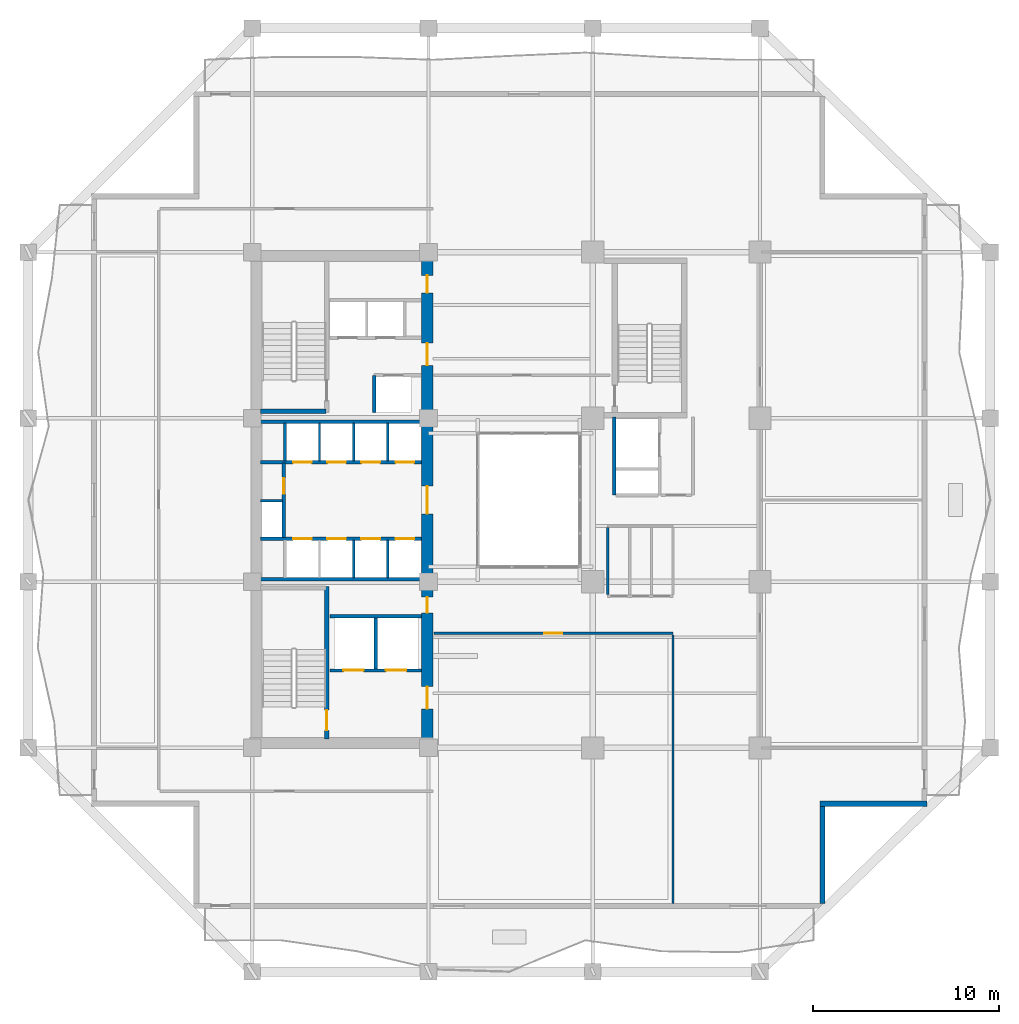
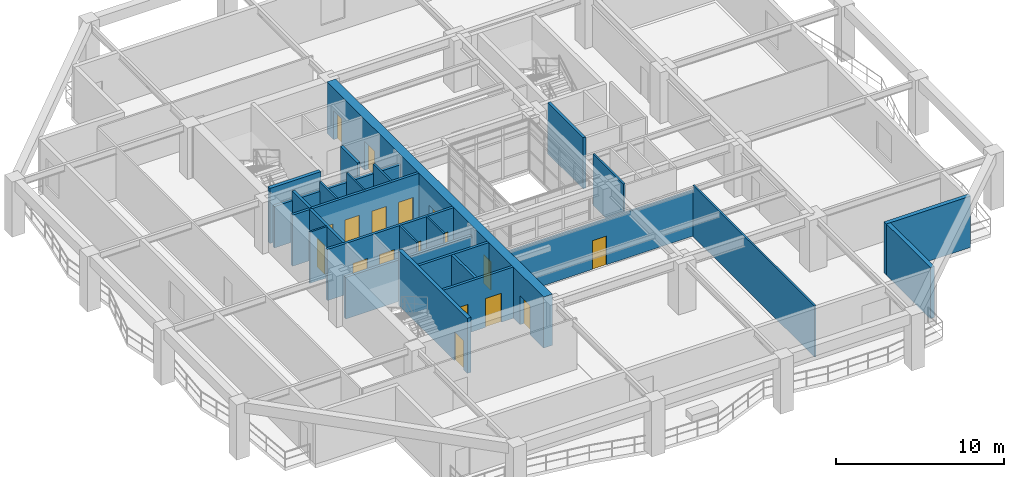
# One storey, part 7 of 17: 25 walls, 18 doors, 18 openings.
"""IFC4 building model written with IfcOpenShell, lengths in metres."""

import ifcopenshell
import ifcopenshell.guid

model = None  # the IFC model being written
_history = None  # IfcOwnerHistory: only IFC2X3 demands one
_inside = {}  # id of a spatial element -> (the spatial element, [elements in it])
_under = {}  # id of a project, library or spatial element -> (it, [spatial elements below it])
_declared = {}  # id of a project -> (the project, [libraries it declares])
_typed = {}  # id of a type object -> (the type object, [elements of that type])
_made_of = {}  # id of a material, layer set ... -> (it, [elements and type objects made of it])


def new_model(schema):
    """Start an empty IFC model of exactly this schema.

    Asked for "IFC4X3", IfcOpenShell would pick the latest addendum, in which some entities
    have other attributes; the version numbers below select the first issue.
    IFC2X3 requires an IfcOwnerHistory on every rooted entity: one is made here for all.
    """
    global model, _history
    if schema == "IFC4X3":
        model = ifcopenshell.file(schema_version=(4, 3, 0, 0))
    else:
        model = ifcopenshell.file(schema=schema)
    _inside.clear()
    _under.clear()
    _declared.clear()
    _typed.clear()
    _made_of.clear()
    _history = None
    if model.schema == "IFC2X3":
        org = make("IfcOrganization", Name="unknown")
        user = make(
            "IfcPersonAndOrganization",
            ThePerson=make("IfcPerson", FamilyName="unknown"),
            TheOrganization=org,
        )
        app = make(
            "IfcApplication",
            ApplicationDeveloper=org,
            Version="unknown",
            ApplicationFullName="unknown",
            ApplicationIdentifier="unknown",
        )
        _history = make(
            "IfcOwnerHistory",
            OwningUser=user,
            OwningApplication=app,
            ChangeAction="ADDED",
            CreationDate=0,
        )
    return model


def make(cls, **values):
    """One entity of the class cls with the attributes given. An attribute that is None is left unset."""
    return model.create_entity(
        cls, **{name: value for name, value in values.items() if value is not None}
    )


def rooted(cls, **values):
    """An entity with a GlobalId (a new one), such as an element, a storey or a relation."""
    return make(cls, GlobalId=ifcopenshell.guid.new(), OwnerHistory=_history, **values)


def si_unit(unit_type, name, prefix=None):
    """IfcSIUnit, for example si_unit("LENGTHUNIT", "METRE", prefix="MILLI")."""
    return make("IfcSIUnit", UnitType=unit_type, Prefix=prefix, Name=name)


def assignment(units):
    """IfcUnitAssignment: the units of a project."""
    return None if units is None else make("IfcUnitAssignment", Units=units)


def point(xyz):
    """IfcCartesianPoint."""
    return None if xyz is None else make("IfcCartesianPoint", Coordinates=xyz)


def direction(xyz):
    """IfcDirection."""
    return None if xyz is None else make("IfcDirection", DirectionRatios=xyz)


def frame(location, z_axis=None, x_axis=None):
    """IfcAxis2Placement3D, a coordinate frame: its origin and axes. An axis left out is left unset."""
    return make(
        "IfcAxis2Placement3D",
        Location=point(location),
        Axis=direction(z_axis),
        RefDirection=direction(x_axis),
    )


def frame_2d(location, x_axis=None):
    """IfcAxis2Placement2D, a coordinate frame in the plane: its origin and x axis."""
    return make(
        "IfcAxis2Placement2D", Location=point(location), RefDirection=direction(x_axis)
    )


def origin():
    """The frame at (0, 0, 0) with its axes left unset."""
    return frame((0.0, 0.0, 0.0))


def place(relative_to, where):
    """IfcLocalPlacement: puts the frame where relative to a parent placement (None: the world)."""
    return make(
        "IfcLocalPlacement", PlacementRelTo=relative_to, RelativePlacement=where
    )


def context(
    kind, dimensions, precision=None, world=None, true_north=None, identifier=None
):
    """IfcGeometricRepresentationContext, for example the 3D "Model" context."""
    return make(
        "IfcGeometricRepresentationContext",
        ContextIdentifier=identifier,
        ContextType=kind,
        CoordinateSpaceDimension=dimensions,
        Precision=precision,
        WorldCoordinateSystem=world,
        TrueNorth=true_north,
    )


def subcontext(parent, identifier, kind, view, scale=None):
    """IfcGeometricRepresentationSubContext, for example "Body" below "Model"."""
    return make(
        "IfcGeometricRepresentationSubContext",
        ContextIdentifier=identifier,
        ContextType=kind,
        ParentContext=parent,
        TargetScale=scale,
        TargetView=view,
    )


def project(units=None, contexts=None):
    """IfcProject with its units and contexts."""
    return rooted(
        "IfcProject",
        Name="project",
        RepresentationContexts=contexts,
        UnitsInContext=assignment(units),
    )


def spatial(cls, under=None, at=None, **own):
    """A site, building, storey or space (cls), placed at a placement, below another one or the project."""
    s = rooted(cls, ObjectPlacement=at, **own)
    if under is not None:
        _under.setdefault(under.id(), (under, []))[1].append(s)
    return s


def profile(cls, at=None, kind="AREA", **sizes):
    """A parametric profile (cls). Its sizes go by their IFC names, for example OverallWidth=200.0."""
    return make(cls, ProfileType=kind, Position=at, **sizes)


def rectangle(**sizes):
    """IfcRectangleProfileDef."""
    return profile("IfcRectangleProfileDef", **sizes)


def extrude(swept, where, along, depth):
    """IfcExtrudedAreaSolid: the profile swept, set in the frame where, extruded along a direction by depth."""
    return make(
        "IfcExtrudedAreaSolid",
        SweptArea=swept,
        Position=where,
        ExtrudedDirection=direction(along),
        Depth=depth,
    )


def shape(context_of_items, identifier, shape_type, items):
    """IfcShapeRepresentation: the items that make up one representation, for example the "Body"."""
    return make(
        "IfcShapeRepresentation",
        ContextOfItems=context_of_items,
        RepresentationIdentifier=identifier,
        RepresentationType=shape_type,
        Items=items,
    )


def material(Name=None, Category=None):
    """IfcMaterial."""
    return make("IfcMaterial", Name=Name, Category=Category)


def layer(
    of_material, thickness, ventilated=None, Name=None, Category=None, Priority=None
):
    """IfcMaterialLayer: one layer of a wall or slab, of a material (None: an air gap)."""
    return make(
        "IfcMaterialLayer",
        Material=of_material,
        LayerThickness=thickness,
        IsVentilated=ventilated,
        Name=Name,
        Category=Category,
        Priority=Priority,
    )


def layer_set(layers, Name=None):
    """IfcMaterialLayerSet."""
    return make("IfcMaterialLayerSet", MaterialLayers=layers, LayerSetName=Name)


def made_of(thing, what):
    """Note that an element or type object is made of a material, layer set ...; save() writes the relation."""
    if what is not None:
        _made_of.setdefault(what.id(), (what, []))[1].append(thing)
    return thing


def type_object(cls, material=None, **own):
    """A type object (cls), such as IfcWallType, which elements share."""
    return made_of(rooted(cls, **own), material)


def element(
    cls,
    number,
    at=None,
    inside=None,
    cuts=None,
    type_object=None,
    material=None,
    context=None,
    identifier="Body",
    shape_type=None,
    held_by="IfcProductDefinitionShape",
    body=None,
    shapes=None,
    **own,
):
    """One element of the class cls, such as IfcWall. Its Tag is "e" and its number.

    at: its placement. inside: the storey or other place that contains it. cuts: it is an
    opening in that element (IfcRelVoidsElement). A single representation is given by context,
    identifier, shape_type and body (its items); several are given by shapes. held_by: the class
    of the entity that holds the representations. save() writes the other relations.
    """
    e = rooted(cls, Tag="e%d" % number, ObjectPlacement=at, **own)
    if body is not None:
        shapes = [shape(context, identifier, shape_type, body)]
    if shapes is not None:
        e.Representation = make(held_by, Representations=shapes)
    if inside is not None:
        _inside.setdefault(inside.id(), (inside, []))[1].append(e)
    if cuts is not None:
        rooted(
            "IfcRelVoidsElement", RelatingBuildingElement=cuts, RelatedOpeningElement=e
        )
    if type_object is not None:
        _typed.setdefault(type_object.id(), (type_object, []))[1].append(e)
    return made_of(e, material)


def fill(opening, filler):
    """IfcRelFillsElement: the door or window that sits in an opening."""
    return rooted(
        "IfcRelFillsElement",
        RelatingOpeningElement=opening,
        RelatedBuildingElement=filler,
    )


def aggregate(whole, parts):
    """IfcRelAggregates: a whole, such as a stair, and the parts it consists of."""
    return rooted("IfcRelAggregates", RelatingObject=whole, RelatedObjects=parts)


def save(model, path):
    """Write the relations noted so far, then the file.

    IfcRelAggregates (storeys below a building ...), IfcRelContainedInSpatialStructure (elements
    in a storey), IfcRelDefinesByType, IfcRelAssociatesMaterial and IfcRelDeclares: one each for
    every whole, place, type object, material and project.
    """
    for whole, parts in _under.values():
        aggregate(whole, parts)
    for where, things in _inside.values():
        rooted(
            "IfcRelContainedInSpatialStructure",
            RelatedElements=things,
            RelatingStructure=where,
        )
    for kind, things in _typed.values():
        rooted("IfcRelDefinesByType", RelatedObjects=things, RelatingType=kind)
    for what, things in _made_of.values():
        rooted("IfcRelAssociatesMaterial", RelatedObjects=things, RelatingMaterial=what)
    for by, libraries in _declared.values():
        rooted("IfcRelDeclares", RelatingContext=by, RelatedDefinitions=libraries)
    model.write(path)


model = new_model("IFC4")

# Units and contexts
model_context = context("Model", 3, precision=1e-05, world=origin(), true_north=direction((0.0, 1.0)))
body_context = subcontext(model_context, "Body", "Model", "MODEL_VIEW")
ifc_project = project(units=[si_unit("LENGTHUNIT", "METRE"), si_unit("AREAUNIT", "SQUARE_METRE"), si_unit("VOLUMEUNIT", "CUBIC_METRE"), si_unit("PLANEANGLEUNIT", "RADIAN"), si_unit("MASSUNIT", "GRAM", prefix="KILO")], contexts=[model_context])

# Site, building, storey
site_placement = place(None, origin())
site = spatial("IfcSite", under=ifc_project, at=site_placement, CompositionType="ELEMENT")
building_placement = place(site_placement, origin())
building = spatial("IfcBuilding", under=site, at=building_placement, Name="Kundavana Baori Tower", CompositionType="ELEMENT")
storey_placement = place(building_placement, frame((0.0, 0.0, 30.0)))
storey = spatial("IfcBuildingStorey", under=building, at=storey_placement, Name="L06", CompositionType="ELEMENT", Elevation=30.0)

# Wall, opening, door
ifc_material_1 = material(Name="Concrete C50/60", Category="concrete")
ifc_layer_1 = layer(ifc_material_1, 0.39990234375, Name="WL-CORE-400")
ifc_layer_set_1 = layer_set([ifc_layer_1], Name="Concrete C50/60")
wall_type_1 = type_object("IfcWallType", Name="WL-CORE-400", PredefinedType="SHEAR", material=ifc_layer_set_1)
wall_1_placement = place(storey_placement, frame((19.4599609375, 15.739990234375, 0.0), z_axis=(0.0, 0.0, 1.0), x_axis=(0.0, 1.0, 0.0)))
wall_1 = element("IfcWall", 1, at=wall_1_placement, inside=storey, type_object=wall_type_1, Name="WL-L06-ST1-E", PredefinedType="SHEAR", context=body_context, shape_type="SweptSolid", body=[
    extrude(rectangle(XDim=8.199951171875, YDim=0.239990234375, at=frame_2d((4.10009765625, 0.0))), origin(), (0.0, 0.0, 1.0), 4.0),
])
opening_1_placement = place(wall_1_placement, frame((0.449951171875, 0.0, 0.0)))
opening_1 = element("IfcOpeningElement", 2, at=opening_1_placement, cuts=wall_1, Name="Opening FD-110", PredefinedType="OPENING", context=body_context, shape_type="SweptSolid", body=[
    extrude(rectangle(XDim=1.10009765625, YDim=2.10009765625, at=frame_2d((0.550048828125, 1.050048828125))), frame((0.0, 0.1298828125, 0.0), z_axis=(0.0, -1.0, 0.0), x_axis=(1.0, 0.0, 0.0)), (0.0, 0.0, 1.0), 0.260009765625),
])
ifc_material_2 = material(Name="Galvanised Steel Fire-Rated Door Leaf", Category="steel")
door_type_1 = type_object("IfcDoorType", Name="DR-FD120-1100", OperationType="NOTDEFINED", PredefinedType="DOOR", material=ifc_material_2)
door_1_placement = place(opening_1_placement, origin())
door_1 = element("IfcDoor", 3, at=door_1_placement, inside=storey, type_object=door_type_1, Name="DR-L06-ST1", OperationType="SINGLE_SWING_LEFT", OverallHeight=2.10009765625, OverallWidth=1.10009765625, PredefinedType="DOOR", context=body_context, shape_type="SweptSolid", body=[
    extrude(rectangle(XDim=1.10009765625, YDim=2.10009765625, at=frame_2d((0.550048828125, 1.050048828125))), frame((0.0, 0.02490234375, 0.0), z_axis=(0.0, -1.0, 0.0), x_axis=(1.0, 0.0, 0.0)), (0.0, 0.0, 1.0), 0.050048828125),
])
fill(opening_1, door_1)

# Wall
wall_2_placement = place(storey_placement, frame((15.89990234375, 33.389892578125, 0.0), z_axis=(0.0, 0.0, 1.0), x_axis=(1.0, 0.0, 0.0)))
element("IfcWall", 4, at=wall_2_placement, inside=storey, type_object=wall_type_1, Name="WL-L06-ST2-S", PredefinedType="SHEAR", context=body_context, shape_type="SweptSolid", body=[
    extrude(rectangle(XDim=3.52001953125, YDim=0.239990234375, at=frame_2d((1.760009765625, 0.0))), origin(), (0.0, 0.0, 1.0), 4.0),
])

# Wall, openings, doors
ifc_material_3 = material(Name="Concrete C60/75", Category="concrete")
ifc_layer_2 = layer(ifc_material_3, 0.60009765625, Name="WL-CORE-600")
ifc_layer_set_2 = layer_set([ifc_layer_2], Name="Concrete C60/75")
wall_type_2 = type_object("IfcWallType", Name="WL-CORE-600", PredefinedType="SHEAR", material=ifc_layer_set_2)
wall_3_placement = place(storey_placement, frame((24.8798828125, 15.739990234375, 0.0), z_axis=(0.0, 0.0, 1.0), x_axis=(0.0, 1.0, 0.0)))
wall_3 = element("IfcWall", 5, at=wall_3_placement, inside=storey, type_object=wall_type_2, Name="L06 Offset Core East Shear Wall", PredefinedType="SHEAR", context=body_context, shape_type="SweptSolid", body=[
    extrude(rectangle(XDim=25.760009765625, YDim=0.60009765625, at=frame_2d((12.8798828125, 0.0))), origin(), (0.0, 0.0, 1.0), 3.719970703125),
])
opening_2_placement = place(wall_3_placement, frame((1.610107421875, 0.0, 0.0)))
opening_2 = element("IfcOpeningElement", 6, at=opening_2_placement, cuts=wall_3, Name="Opening FD-120", PredefinedType="OPENING", context=body_context, shape_type="SweptSolid", body=[
    extrude(rectangle(XDim=1.199951171875, YDim=2.10009765625, at=frame_2d((0.60009765625, 1.050048828125))), frame((0.0, 0.31005859375, 0.0), z_axis=(0.0, -1.0, 0.0), x_axis=(1.0, 0.0, 0.0)), (0.0, 0.0, 1.0), 0.6201171875),
])
opening_3_placement = place(wall_3_placement, frame((6.780029296875, 0.0, 0.0)))
opening_3 = element("IfcOpeningElement", 7, at=opening_3_placement, cuts=wall_3, Name="Opening FD-085", PredefinedType="OPENING", context=body_context, shape_type="SweptSolid", body=[
    extrude(rectangle(XDim=0.85009765625, YDim=2.06005859375, at=frame_2d((0.425048828125, 1.030029296875))), frame((0.0, 0.31005859375, 0.0), z_axis=(0.0, -1.0, 0.0), x_axis=(1.0, 0.0, 0.0)), (0.0, 0.0, 1.0), 0.6201171875),
])
opening_4_placement = place(wall_3_placement, frame((12.110107421875, 0.0, 0.0)))
opening_4 = element("IfcOpeningElement", 8, at=opening_4_placement, cuts=wall_3, Name="Opening FD-150", PredefinedType="OPENING", context=body_context, shape_type="SweptSolid", body=[
    extrude(rectangle(XDim=1.5, YDim=2.1201171875, at=frame_2d((0.75, 1.06005859375))), frame((0.0, 0.31005859375, 0.0), z_axis=(0.0, -1.0, 0.0), x_axis=(1.0, 0.0, 0.0)), (0.0, 0.0, 1.0), 0.6201171875),
])
opening_5_placement = place(wall_3_placement, frame((20.110107421875, 0.0, 0.0)))
opening_5 = element("IfcOpeningElement", 9, at=opening_5_placement, cuts=wall_3, Name="Opening FD-122", PredefinedType="OPENING", context=body_context, shape_type="SweptSolid", body=[
    extrude(rectangle(XDim=1.199951171875, YDim=2.1201171875, at=frame_2d((0.60009765625, 1.06005859375))), frame((0.0, 0.31005859375, 0.0), z_axis=(0.0, -1.0, 0.0), x_axis=(1.0, 0.0, 0.0)), (0.0, 0.0, 1.0), 0.6201171875),
])
opening_6_placement = place(wall_3_placement, frame((24.010009765625, 0.0, 0.0)))
opening_6 = element("IfcOpeningElement", 10, at=opening_6_placement, cuts=wall_3, Name="Opening FD-095", PredefinedType="OPENING", context=body_context, shape_type="SweptSolid", body=[
    extrude(rectangle(XDim=0.949951171875, YDim=2.10009765625, at=frame_2d((0.47509765625, 1.050048828125))), frame((0.0, 0.31005859375, 0.0), z_axis=(0.0, -1.0, 0.0), x_axis=(1.0, 0.0, 0.0)), (0.0, 0.0, 1.0), 0.6201171875),
])
ifc_material_4 = material(Name="Galvanised Steel Fire-Rated Door Leaf", Category="steel")
door_type_2 = type_object("IfcDoorType", Name="DR-FD120-1200", OperationType="NOTDEFINED", PredefinedType="DOOR", material=ifc_material_4)
door_2_placement = place(opening_2_placement, frame((1.199951171875, 0.0, 0.0), z_axis=(0.0, 0.0, 1.0), x_axis=(-1.0, 0.0, 0.0)))
door_2 = element("IfcDoor", 11, at=door_2_placement, inside=storey, type_object=door_type_2, Name="DR-L06-FFLOB-E", OperationType="SINGLE_SWING_RIGHT", OverallHeight=2.10009765625, OverallWidth=1.199951171875, PredefinedType="DOOR", context=body_context, shape_type="SweptSolid", body=[
    extrude(rectangle(XDim=1.199951171875, YDim=2.10009765625, at=frame_2d((0.60009765625, 1.050048828125))), frame((0.0, 0.02490234375, 0.0), z_axis=(0.0, -1.0, 0.0), x_axis=(1.0, 0.0, 0.0)), (0.0, 0.0, 1.0), 0.050048828125),
])
fill(opening_2, door_2)
ifc_material_5 = material(Name="Galvanised Steel Fire-Rated Door Leaf", Category="steel")
door_type_3 = type_object("IfcDoorType", Name="DR-FD60-1200", OperationType="NOTDEFINED", PredefinedType="DOOR", material=ifc_material_5)
door_3_placement = place(opening_5_placement, frame((1.199951171875, 0.0, 0.0), z_axis=(0.0, 0.0, 1.0), x_axis=(-1.0, 0.0, 0.0)))
door_3 = element("IfcDoor", 12, at=door_3_placement, inside=storey, type_object=door_type_3, Name="DR-L06-HRLOB-E", OperationType="SINGLE_SWING_RIGHT", OverallHeight=2.1201171875, OverallWidth=1.199951171875, PredefinedType="DOOR", context=body_context, shape_type="SweptSolid", body=[
    extrude(rectangle(XDim=1.199951171875, YDim=2.1201171875, at=frame_2d((0.60009765625, 1.06005859375))), frame((0.0, 0.02490234375, 0.0), z_axis=(0.0, -1.0, 0.0), x_axis=(1.0, 0.0, 0.0)), (0.0, 0.0, 1.0), 0.050048828125),
])
fill(opening_5, door_3)
ifc_material_6 = material(Name="Galvanised Steel Fire-Rated Door Leaf", Category="steel")
door_type_4 = type_object("IfcDoorType", Name="DR-FD60-1500", OperationType="NOTDEFINED", PredefinedType="DOOR", material=ifc_material_6)
door_4_placement = place(opening_4_placement, frame((1.5, 0.0, 0.0), z_axis=(0.0, 0.0, 1.0), x_axis=(-1.0, 0.0, 0.0)))
door_4 = element("IfcDoor", 13, at=door_4_placement, inside=storey, type_object=door_type_4, Name="DR-L06-LIFTHALL-E", OperationType="SINGLE_SWING_LEFT", OverallHeight=2.1201171875, OverallWidth=1.5, PredefinedType="DOOR", context=body_context, shape_type="SweptSolid", body=[
    extrude(rectangle(XDim=1.5, YDim=2.1201171875, at=frame_2d((0.75, 1.06005859375))), frame((0.0, 0.02490234375, 0.0), z_axis=(0.0, -1.0, 0.0), x_axis=(1.0, 0.0, 0.0)), (0.0, 0.0, 1.0), 0.050048828125),
])
fill(opening_4, door_4)
ifc_material_7 = material(Name="Galvanised Steel Fire-Rated Door Leaf", Category="steel")
door_type_5 = type_object("IfcDoorType", Name="DR-FD60-850", OperationType="NOTDEFINED", PredefinedType="DOOR", material=ifc_material_7)
door_5_placement = place(opening_3_placement, frame((0.85009765625, 0.0, 0.0), z_axis=(0.0, 0.0, 1.0), x_axis=(-1.0, 0.0, 0.0)))
door_5 = element("IfcDoor", 14, at=door_5_placement, inside=storey, type_object=door_type_5, Name="DR-L06-CSMK1", OperationType="SINGLE_SWING_LEFT", OverallHeight=2.06005859375, OverallWidth=0.85009765625, PredefinedType="DOOR", context=body_context, shape_type="SweptSolid", body=[
    extrude(rectangle(XDim=0.85009765625, YDim=2.06005859375, at=frame_2d((0.425048828125, 1.030029296875))), frame((0.0, 0.02490234375, 0.0), z_axis=(0.0, -1.0, 0.0), x_axis=(1.0, 0.0, 0.0)), (0.0, 0.0, 1.0), 0.050048828125),
])
fill(opening_3, door_5)
ifc_material_8 = material(Name="Engineered Teak Fire-Rated Timber Door Leaf", Category="wood")
door_type_6 = type_object("IfcDoorType", Name="DR-FD60-950", OperationType="NOTDEFINED", PredefinedType="DOOR", material=ifc_material_8)
door_6_placement = place(opening_6_placement, frame((0.949951171875, 0.0, 0.0), z_axis=(0.0, 0.0, 1.0), x_axis=(-1.0, 0.0, 0.0)))
door_6 = element("IfcDoor", 15, at=door_6_placement, inside=storey, type_object=door_type_6, Name="DR-L06-CSRV1", OperationType="SINGLE_SWING_LEFT", OverallHeight=2.10009765625, OverallWidth=0.949951171875, PredefinedType="DOOR", context=body_context, shape_type="SweptSolid", body=[
    extrude(rectangle(XDim=0.949951171875, YDim=2.10009765625, at=frame_2d((0.47509765625, 1.050048828125))), frame((0.0, 0.02490234375, 0.0), z_axis=(0.0, -1.0, 0.0), x_axis=(1.0, 0.0, 0.0)), (0.0, 0.0, 1.0), 0.050048828125),
])
fill(opening_6, door_6)

# Walls
ifc_material_9 = material(Name="Red-Buff Dholpur Sandstone Cladding on Concrete C40/50", Category="masonry")
ifc_layer_3 = layer(ifc_material_9, 0.280029296875, Name="WL-EXT-SAND-280")
ifc_layer_set_3 = layer_set([ifc_layer_3], Name="Red-Buff Dholpur Sandstone Cladding on Concrete C40/50")
wall_type_3 = type_object("IfcWallType", Name="WL-EXT-SAND-280", PredefinedType="STANDARD", material=ifc_layer_set_3)
wall_4_placement = place(storey_placement, frame((46.159912109375, 6.8798828125, 0.0), z_axis=(0.0, 0.0, 1.0), x_axis=(0.0, 1.0, 0.0)))
element("IfcWall", 16, at=wall_4_placement, inside=storey, type_object=wall_type_3, Name="L06 Exterior Insulated Facade Wall 02", PredefinedType="STANDARD", context=body_context, shape_type="SweptSolid", body=[
    extrude(rectangle(XDim=5.22021484375, YDim=0.280029296875, at=frame_2d((2.610107421875, 0.0))), origin(), (0.0, 0.0, 1.0), 3.719970703125),
])
wall_5_placement = place(storey_placement, frame((46.02001953125, 12.239990234375, 0.0), z_axis=(0.0, 0.0, 1.0), x_axis=(1.0, 0.0, 0.0)))
element("IfcWall", 17, at=wall_5_placement, inside=storey, type_object=wall_type_3, Name="L06 Exterior Insulated Facade Wall 03", PredefinedType="STANDARD", context=body_context, shape_type="SweptSolid", body=[
    extrude(rectangle(XDim=5.780029296875, YDim=0.280029296875, at=frame_2d((2.89013671875, 0.0))), origin(), (0.0, 0.0, 1.0), 3.719970703125),
])
ifc_material_10 = material(Name="Acoustic Gypsum Plasterboard on Galvanised Steel Studs", Category="steel")
ifc_layer_4 = layer(ifc_material_10, 0.1201171875, Name="WL-PART-120")
ifc_layer_set_4 = layer_set([ifc_layer_4], Name="Acoustic Gypsum Plasterboard on Galvanised Steel Studs")
wall_type_4 = type_object("IfcWallType", Name="WL-PART-120", PredefinedType="PARTITIONING", material=ifc_layer_set_4)
for number, where, z_axis, x_axis, name in (
    (18, (20.919921875, 24.39990234375, 0.0), (0.0, 0.0, 1.0), (0.0, 1.0, 0.0), "WL-L06-LPLOW-D2"),
    (19, (22.760009765625, 24.39990234375, 0.0), (0.0, 0.0, 1.0), (0.0, 1.0, 0.0), "WL-L06-LPLOW-D3"),
):
    element("IfcWall", number, at=place(storey_placement, frame(where, z_axis=z_axis, x_axis=x_axis)), inside=storey, type_object=wall_type_4, Name=name, PredefinedType="PARTITIONING", context=body_context, shape_type="SweptSolid", body=[
        extrude(rectangle(XDim=2.050048828125, YDim=0.1201171875, at=frame_2d((1.02490234375, 0.0))), origin(), (0.0, 0.0, 1.0), 3.719970703125),
    ])
wall_6_placement = place(storey_placement, frame((15.89990234375, 28.56005859375, 0.0), z_axis=(0.0, 0.0, 1.0), x_axis=(1.0, 0.0, 0.0)))
element("IfcWall", 20, at=wall_6_placement, inside=storey, type_object=wall_type_4, Name="WL-L06-RSRW-N", PredefinedType="PARTITIONING", context=body_context, shape_type="SweptSolid", body=[
    extrude(rectangle(XDim=1.2001953125, YDim=0.1201171875, at=frame_2d((0.60009765625, 0.0))), origin(), (0.0, 0.0, 1.0), 3.719970703125),
])
for number, where, z_axis, x_axis, name in (
    (21, (19.080078125, 30.699951171875, 0.0), (0.0, 0.0, 1.0), (0.0, 1.0, 0.0), "WL-L06-LPMID-D1"),
    (22, (20.919921875, 30.699951171875, 0.0), (0.0, 0.0, 1.0), (0.0, 1.0, 0.0), "WL-L06-LPMID-D2"),
    (23, (22.760009765625, 30.699951171875, 0.0), (0.0, 0.0, 1.0), (0.0, 1.0, 0.0), "WL-L06-LPMID-D3"),
):
    element("IfcWall", number, at=place(storey_placement, frame(where, z_axis=z_axis, x_axis=x_axis)), inside=storey, type_object=wall_type_4, Name=name, PredefinedType="PARTITIONING", context=body_context, shape_type="SweptSolid", body=[
        extrude(rectangle(XDim=2.050048828125, YDim=0.1201171875, at=frame_2d((1.02490234375, 0.0))), origin(), (0.0, 0.0, 1.0), 3.719970703125),
    ])

# Wall, opening, door
wall_7_placement = place(storey_placement, frame((25.25, 21.419921875, 0.0), z_axis=(0.0, 0.0, 1.0), x_axis=(1.0, 0.0, 0.0)))
wall_7 = element("IfcWall", 24, at=wall_7_placement, inside=storey, type_object=wall_type_4, Name="WL-L06-OFS", PredefinedType="PARTITIONING", context=body_context, shape_type="SweptSolid", body=[
    extrude(rectangle(XDim=12.8701171875, YDim=0.1201171875, at=frame_2d((6.43505859375, 0.0))), origin(), (0.0, 0.0, 1.0), 3.320068359375),
])
opening_7_placement = place(wall_7_placement, frame((5.945068359375, 0.0, 0.0)))
opening_7 = element("IfcOpeningElement", 25, at=opening_7_placement, cuts=wall_7, Name="Opening ID-095", PredefinedType="OPENING", context=body_context, shape_type="SweptSolid", body=[
    extrude(rectangle(XDim=0.949951171875, YDim=2.080078125, at=frame_2d((0.47509765625, 1.0400390625))), frame((0.0, 0.070068359375, 0.0), z_axis=(0.0, -1.0, 0.0), x_axis=(1.0, 0.0, 0.0)), (0.0, 0.0, 1.0), 0.14013671875),
])
ifc_material_11 = material(Name="Engineered Teak Solid-Core Timber Veneer", Category="wood")
door_type_7 = type_object("IfcDoorType", Name="DR-INT-950", OperationType="NOTDEFINED", PredefinedType="DOOR", material=ifc_material_11)
door_7_placement = place(opening_7_placement, frame((0.949951171875, 0.0, 0.0), z_axis=(0.0, 0.0, 1.0), x_axis=(-1.0, 0.0, 0.0)))
door_7 = element("IfcDoor", 26, at=door_7_placement, inside=storey, type_object=door_type_7, Name="DR-L06-OFS1", OperationType="SINGLE_SWING_LEFT", OverallHeight=2.080078125, OverallWidth=0.949951171875, PredefinedType="DOOR", context=body_context, shape_type="SweptSolid", body=[
    extrude(rectangle(XDim=0.949951171875, YDim=2.080078125, at=frame_2d((0.47509765625, 1.0400390625))), frame((0.0, 0.02490234375, 0.0), z_axis=(0.0, -1.0, 0.0), x_axis=(1.0, 0.0, 0.0)), (0.0, 0.0, 1.0), 0.050048828125),
])
fill(opening_7, door_7)

# Wall
wall_8_placement = place(storey_placement, frame((38.1201171875, 6.8798828125, 0.0), z_axis=(0.0, 0.0, 1.0), x_axis=(0.0, 1.0, 0.0)))
element("IfcWall", 27, at=wall_8_placement, inside=storey, type_object=wall_type_4, Name="WL-L06-OFSEND", PredefinedType="PARTITIONING", context=body_context, shape_type="SweptSolid", body=[
    extrude(rectangle(XDim=14.460205078125, YDim=0.1201171875, at=frame_2d((7.22998046875, 0.0))), origin(), (0.0, 0.0, 1.0), 3.719970703125),
])

# Wall, openings, doors
ifc_material_12 = material(Name="Autoclaved Aerated Concrete Blockwork Masonry", Category="masonry")
ifc_layer_5 = layer(ifc_material_12, 0.179931640625, Name="WL-SHAFT-180")
ifc_layer_set_5 = layer_set([ifc_layer_5], Name="Autoclaved Aerated Concrete Blockwork Masonry")
wall_type_5 = type_object("IfcWallType", Name="WL-SHAFT-180", PredefinedType="SOLIDWALL", material=ifc_layer_set_5)
wall_9_placement = place(storey_placement, frame((19.639892578125, 19.419921875, 0.0), z_axis=(0.0, 0.0, 1.0), x_axis=(1.0, 0.0, 0.0)))
wall_9 = element("IfcWall", 28, at=wall_9_placement, inside=storey, type_object=wall_type_5, Name="WL-L06-FFL-S", PredefinedType="SOLIDWALL", context=body_context, shape_type="SweptSolid", body=[
    extrude(rectangle(XDim=4.940185546875, YDim=0.179931640625, at=frame_2d((2.47021484375, 0.0))), origin(), (0.0, 0.0, 1.0), 3.719970703125),
])
opening_8_placement = place(wall_9_placement, frame((0.719970703125, 0.0, 0.0)))
opening_8 = element("IfcOpeningElement", 29, at=opening_8_placement, cuts=wall_9, Name="Opening LD-110", PredefinedType="OPENING", context=body_context, shape_type="SweptSolid", body=[
    extrude(rectangle(XDim=1.10009765625, YDim=2.10009765625, at=frame_2d((0.550048828125, 1.050048828125))), frame((0.0, 0.10009765625, 0.0), z_axis=(0.0, -1.0, 0.0), x_axis=(1.0, 0.0, 0.0)), (0.0, 0.0, 1.0), 0.199951171875),
])
opening_9_placement = place(wall_9_placement, frame((3.02001953125, 0.0, 0.0)))
opening_9 = element("IfcOpeningElement", 30, at=opening_9_placement, cuts=wall_9, Name="Opening LD-110", PredefinedType="OPENING", context=body_context, shape_type="SweptSolid", body=[
    extrude(rectangle(XDim=1.10009765625, YDim=2.10009765625, at=frame_2d((0.550048828125, 1.050048828125))), frame((0.0, 0.10009765625, 0.0), z_axis=(0.0, -1.0, 0.0), x_axis=(1.0, 0.0, 0.0)), (0.0, 0.0, 1.0), 0.199951171875),
])
ifc_material_13 = material(Name="Galvanised Steel Fire-Rated Door Leaf", Category="steel")
door_type_8 = type_object("IfcDoorType", Name="DR-SLIDE-LD1100", OperationType="NOTDEFINED", PredefinedType="DOOR", material=ifc_material_13)
door_8_placement = place(opening_8_placement, origin())
door_8 = element("IfcDoor", 31, at=door_8_placement, inside=storey, type_object=door_type_8, Name="DR-L06-LD-FFL-1", OperationType="DOUBLE_DOOR_SLIDING", OverallHeight=2.10009765625, OverallWidth=1.10009765625, PredefinedType="DOOR", context=body_context, shape_type="SweptSolid", body=[
    extrude(rectangle(XDim=1.10009765625, YDim=2.10009765625, at=frame_2d((0.550048828125, 1.050048828125))), frame((0.0, 0.02490234375, 0.0), z_axis=(0.0, -1.0, 0.0), x_axis=(1.0, 0.0, 0.0)), (0.0, 0.0, 1.0), 0.050048828125),
])
fill(opening_8, door_8)
door_9_placement = place(opening_9_placement, origin())
door_9 = element("IfcDoor", 32, at=door_9_placement, inside=storey, type_object=door_type_8, Name="DR-L06-LD-FFL-2", OperationType="DOUBLE_DOOR_SLIDING", OverallHeight=2.10009765625, OverallWidth=1.10009765625, PredefinedType="DOOR", context=body_context, shape_type="SweptSolid", body=[
    extrude(rectangle(XDim=1.10009765625, YDim=2.10009765625, at=frame_2d((0.550048828125, 1.050048828125))), frame((0.0, 0.02490234375, 0.0), z_axis=(0.0, -1.0, 0.0), x_axis=(1.0, 0.0, 0.0)), (0.0, 0.0, 1.0), 0.050048828125),
])
fill(opening_9, door_9)

# Walls
wall_10_placement = place(storey_placement, frame((22.10009765625, 19.510009765625, 0.0), z_axis=(0.0, 0.0, 1.0), x_axis=(0.0, 1.0, 0.0)))
element("IfcWall", 33, at=wall_10_placement, inside=storey, type_object=wall_type_5, Name="WL-L06-FFL-MID", PredefinedType="SOLIDWALL", context=body_context, shape_type="SweptSolid", body=[
    extrude(rectangle(XDim=2.739990234375, YDim=0.179931640625, at=frame_2d((1.3701171875, 0.0))), origin(), (0.0, 0.0, 1.0), 3.719970703125),
])
wall_11_placement = place(storey_placement, frame((19.639892578125, 22.340087890625, 0.0), z_axis=(0.0, 0.0, 1.0), x_axis=(1.0, 0.0, 0.0)))
element("IfcWall", 34, at=wall_11_placement, inside=storey, type_object=wall_type_5, Name="WL-L06-FFL-N", PredefinedType="SOLIDWALL", context=body_context, shape_type="SweptSolid", body=[
    extrude(rectangle(XDim=4.940185546875, YDim=0.179931640625, at=frame_2d((2.47021484375, 0.0))), origin(), (0.0, 0.0, 1.0), 3.719970703125),
])

# Wall, openings, doors
wall_12_placement = place(storey_placement, frame((15.89990234375, 26.52001953125, 0.0), z_axis=(0.0, 0.0, 1.0), x_axis=(1.0, 0.0, 0.0)))
wall_12 = element("IfcWall", 35, at=wall_12_placement, inside=storey, type_object=wall_type_5, Name="WL-L06-LPLOW-N", PredefinedType="SOLIDWALL", context=body_context, shape_type="SweptSolid", body=[
    extrude(rectangle(XDim=8.68017578125, YDim=0.179931640625, at=frame_2d((4.340087890625, 0.0))), origin(), (0.0, 0.0, 1.0), 3.719970703125),
])
opening_10_placement = place(wall_12_placement, frame((1.760009765625, 0.0, 0.0)))
opening_10 = element("IfcOpeningElement", 36, at=opening_10_placement, cuts=wall_12, Name="Opening LD-100", PredefinedType="OPENING", context=body_context, shape_type="SweptSolid", body=[
    extrude(rectangle(XDim=1.0, YDim=2.10009765625, at=frame_2d((0.5, 1.050048828125))), frame((0.0, 0.10009765625, 0.0), z_axis=(0.0, -1.0, 0.0), x_axis=(1.0, 0.0, 0.0)), (0.0, 0.0, 1.0), 0.199951171875),
])
opening_11_placement = place(wall_12_placement, frame((3.60009765625, 0.0, 0.0)))
opening_11 = element("IfcOpeningElement", 37, at=opening_11_placement, cuts=wall_12, Name="Opening LD-100", PredefinedType="OPENING", context=body_context, shape_type="SweptSolid", body=[
    extrude(rectangle(XDim=1.0, YDim=2.10009765625, at=frame_2d((0.5, 1.050048828125))), frame((0.0, 0.10009765625, 0.0), z_axis=(0.0, -1.0, 0.0), x_axis=(1.0, 0.0, 0.0)), (0.0, 0.0, 1.0), 0.199951171875),
])
opening_12_placement = place(wall_12_placement, frame((5.43994140625, 0.0, 0.0)))
opening_12 = element("IfcOpeningElement", 38, at=opening_12_placement, cuts=wall_12, Name="Opening LD-100", PredefinedType="OPENING", context=body_context, shape_type="SweptSolid", body=[
    extrude(rectangle(XDim=1.0, YDim=2.10009765625, at=frame_2d((0.5, 1.050048828125))), frame((0.0, 0.10009765625, 0.0), z_axis=(0.0, -1.0, 0.0), x_axis=(1.0, 0.0, 0.0)), (0.0, 0.0, 1.0), 0.199951171875),
])
opening_13_placement = place(wall_12_placement, frame((7.280029296875, 0.0, 0.0)))
opening_13 = element("IfcOpeningElement", 39, at=opening_13_placement, cuts=wall_12, Name="Opening LD-100", PredefinedType="OPENING", context=body_context, shape_type="SweptSolid", body=[
    extrude(rectangle(XDim=1.0, YDim=2.10009765625, at=frame_2d((0.5, 1.050048828125))), frame((0.0, 0.10009765625, 0.0), z_axis=(0.0, -1.0, 0.0), x_axis=(1.0, 0.0, 0.0)), (0.0, 0.0, 1.0), 0.199951171875),
])
ifc_material_14 = material(Name="Galvanised Steel Fire-Rated Door Leaf", Category="steel")
door_type_9 = type_object("IfcDoorType", Name="DR-SLIDE-LD1000", OperationType="NOTDEFINED", PredefinedType="DOOR", material=ifc_material_14)
door_10_placement = place(opening_10_placement, origin())
door_10 = element("IfcDoor", 40, at=door_10_placement, inside=storey, type_object=door_type_9, Name="DR-L06-LD-LP-01", OperationType="DOUBLE_DOOR_SLIDING", OverallHeight=2.10009765625, OverallWidth=1.0, PredefinedType="DOOR", context=body_context, shape_type="SweptSolid", body=[
    extrude(rectangle(XDim=1.0, YDim=2.10009765625, at=frame_2d((0.5, 1.050048828125))), frame((0.0, 0.02490234375, 0.0), z_axis=(0.0, -1.0, 0.0), x_axis=(1.0, 0.0, 0.0)), (0.0, 0.0, 1.0), 0.050048828125),
])
fill(opening_10, door_10)
door_11_placement = place(opening_11_placement, origin())
door_11 = element("IfcDoor", 41, at=door_11_placement, inside=storey, type_object=door_type_9, Name="DR-L06-LD-LP-02", OperationType="DOUBLE_DOOR_SLIDING", OverallHeight=2.10009765625, OverallWidth=1.0, PredefinedType="DOOR", context=body_context, shape_type="SweptSolid", body=[
    extrude(rectangle(XDim=1.0, YDim=2.10009765625, at=frame_2d((0.5, 1.050048828125))), frame((0.0, 0.02490234375, 0.0), z_axis=(0.0, -1.0, 0.0), x_axis=(1.0, 0.0, 0.0)), (0.0, 0.0, 1.0), 0.050048828125),
])
fill(opening_11, door_11)
door_12_placement = place(opening_12_placement, origin())
door_12 = element("IfcDoor", 42, at=door_12_placement, inside=storey, type_object=door_type_9, Name="DR-L06-LD-LP-03", OperationType="DOUBLE_DOOR_SLIDING", OverallHeight=2.10009765625, OverallWidth=1.0, PredefinedType="DOOR", context=body_context, shape_type="SweptSolid", body=[
    extrude(rectangle(XDim=1.0, YDim=2.10009765625, at=frame_2d((0.5, 1.050048828125))), frame((0.0, 0.02490234375, 0.0), z_axis=(0.0, -1.0, 0.0), x_axis=(1.0, 0.0, 0.0)), (0.0, 0.0, 1.0), 0.050048828125),
])
fill(opening_12, door_12)
door_13_placement = place(opening_13_placement, origin())
door_13 = element("IfcDoor", 43, at=door_13_placement, inside=storey, type_object=door_type_9, Name="DR-L06-LD-LP-04", OperationType="DOUBLE_DOOR_SLIDING", OverallHeight=2.10009765625, OverallWidth=1.0, PredefinedType="DOOR", context=body_context, shape_type="SweptSolid", body=[
    extrude(rectangle(XDim=1.0, YDim=2.10009765625, at=frame_2d((0.5, 1.050048828125))), frame((0.0, 0.02490234375, 0.0), z_axis=(0.0, -1.0, 0.0), x_axis=(1.0, 0.0, 0.0)), (0.0, 0.0, 1.0), 0.050048828125),
])
fill(opening_13, door_13)

# Wall
wall_13_placement = place(storey_placement, frame((15.89990234375, 24.330078125, 0.0), z_axis=(0.0, 0.0, 1.0), x_axis=(1.0, 0.0, 0.0)))
element("IfcWall", 44, at=wall_13_placement, inside=storey, type_object=wall_type_5, Name="WL-L06-LPLOW-S", PredefinedType="SOLIDWALL", context=body_context, shape_type="SweptSolid", body=[
    extrude(rectangle(XDim=8.68017578125, YDim=0.179931640625, at=frame_2d((4.340087890625, 0.0))), origin(), (0.0, 0.0, 1.0), 3.02001953125),
])

# Wall, opening, door
wall_14_placement = place(storey_placement, frame((17.159912109375, 26.580078125, 0.0), z_axis=(0.0, 0.0, 1.0), x_axis=(0.0, 1.0, 0.0)))
wall_14 = element("IfcWall", 45, at=wall_14_placement, inside=storey, type_object=wall_type_5, Name="WL-L06-RSRW-E", PredefinedType="SOLIDWALL", context=body_context, shape_type="SweptSolid", body=[
    extrude(rectangle(XDim=4.02001953125, YDim=0.179931640625, at=frame_2d((2.010009765625, 0.0))), origin(), (0.0, 0.0, 1.0), 3.719970703125),
])
opening_14_placement = place(wall_14_placement, frame((2.35009765625, 0.0, 0.0)))
opening_14 = element("IfcOpeningElement", 46, at=opening_14_placement, cuts=wall_14, Name="Opening FD-085", PredefinedType="OPENING", context=body_context, shape_type="SweptSolid", body=[
    extrude(rectangle(XDim=0.85009765625, YDim=2.06005859375, at=frame_2d((0.425048828125, 1.030029296875))), frame((0.0, 0.10009765625, 0.0), z_axis=(0.0, -1.0, 0.0), x_axis=(1.0, 0.0, 0.0)), (0.0, 0.0, 1.0), 0.199951171875),
])
door_14_placement = place(opening_14_placement, origin())
door_14 = element("IfcDoor", 47, at=door_14_placement, inside=storey, type_object=door_type_5, Name="DR-L06-CLN", OperationType="SINGLE_SWING_RIGHT", OverallHeight=2.06005859375, OverallWidth=0.85009765625, PredefinedType="DOOR", context=body_context, shape_type="SweptSolid", body=[
    extrude(rectangle(XDim=0.85009765625, YDim=2.06005859375, at=frame_2d((0.425048828125, 1.030029296875))), frame((0.0, 0.02490234375, 0.0), z_axis=(0.0, -1.0, 0.0), x_axis=(1.0, 0.0, 0.0)), (0.0, 0.0, 1.0), 0.050048828125),
])
fill(opening_14, door_14)

# Wall, openings, doors
wall_15_placement = place(storey_placement, frame((15.89990234375, 30.639892578125, 0.0), z_axis=(0.0, 0.0, 1.0), x_axis=(1.0, 0.0, 0.0)))
wall_15 = element("IfcWall", 48, at=wall_15_placement, inside=storey, type_object=wall_type_5, Name="WL-L06-LPMID-S", PredefinedType="SOLIDWALL", context=body_context, shape_type="SweptSolid", body=[
    extrude(rectangle(XDim=8.68017578125, YDim=0.179931640625, at=frame_2d((4.340087890625, 0.0))), origin(), (0.0, 0.0, 1.0), 3.719970703125),
])
opening_15_placement = place(wall_15_placement, frame((1.760009765625, 0.0, 0.0)))
opening_15 = element("IfcOpeningElement", 49, at=opening_15_placement, cuts=wall_15, Name="Opening LD-100", PredefinedType="OPENING", context=body_context, shape_type="SweptSolid", body=[
    extrude(rectangle(XDim=1.0, YDim=2.10009765625, at=frame_2d((0.5, 1.050048828125))), frame((0.0, 0.10009765625, 0.0), z_axis=(0.0, -1.0, 0.0), x_axis=(1.0, 0.0, 0.0)), (0.0, 0.0, 1.0), 0.199951171875),
])
opening_16_placement = place(wall_15_placement, frame((3.60009765625, 0.0, 0.0)))
opening_16 = element("IfcOpeningElement", 50, at=opening_16_placement, cuts=wall_15, Name="Opening LD-100", PredefinedType="OPENING", context=body_context, shape_type="SweptSolid", body=[
    extrude(rectangle(XDim=1.0, YDim=2.10009765625, at=frame_2d((0.5, 1.050048828125))), frame((0.0, 0.10009765625, 0.0), z_axis=(0.0, -1.0, 0.0), x_axis=(1.0, 0.0, 0.0)), (0.0, 0.0, 1.0), 0.199951171875),
])
opening_17_placement = place(wall_15_placement, frame((5.43994140625, 0.0, 0.0)))
opening_17 = element("IfcOpeningElement", 51, at=opening_17_placement, cuts=wall_15, Name="Opening LD-100", PredefinedType="OPENING", context=body_context, shape_type="SweptSolid", body=[
    extrude(rectangle(XDim=1.0, YDim=2.10009765625, at=frame_2d((0.5, 1.050048828125))), frame((0.0, 0.10009765625, 0.0), z_axis=(0.0, -1.0, 0.0), x_axis=(1.0, 0.0, 0.0)), (0.0, 0.0, 1.0), 0.199951171875),
])
opening_18_placement = place(wall_15_placement, frame((7.280029296875, 0.0, 0.0)))
opening_18 = element("IfcOpeningElement", 52, at=opening_18_placement, cuts=wall_15, Name="Opening LD-100", PredefinedType="OPENING", context=body_context, shape_type="SweptSolid", body=[
    extrude(rectangle(XDim=1.0, YDim=2.10009765625, at=frame_2d((0.5, 1.050048828125))), frame((0.0, 0.10009765625, 0.0), z_axis=(0.0, -1.0, 0.0), x_axis=(1.0, 0.0, 0.0)), (0.0, 0.0, 1.0), 0.199951171875),
])
door_15_placement = place(opening_15_placement, frame((1.0, 0.0, 0.0), z_axis=(0.0, 0.0, 1.0), x_axis=(-1.0, 0.0, 0.0)))
door_15 = element("IfcDoor", 53, at=door_15_placement, inside=storey, type_object=door_type_9, Name="DR-L06-LD-LP-05", OperationType="DOUBLE_DOOR_SLIDING", OverallHeight=2.10009765625, OverallWidth=1.0, PredefinedType="DOOR", context=body_context, shape_type="SweptSolid", body=[
    extrude(rectangle(XDim=1.0, YDim=2.10009765625, at=frame_2d((0.5, 1.050048828125))), frame((0.0, 0.02490234375, 0.0), z_axis=(0.0, -1.0, 0.0), x_axis=(1.0, 0.0, 0.0)), (0.0, 0.0, 1.0), 0.050048828125),
])
fill(opening_15, door_15)
door_16_placement = place(opening_16_placement, frame((1.0, 0.0, 0.0), z_axis=(0.0, 0.0, 1.0), x_axis=(-1.0, 0.0, 0.0)))
door_16 = element("IfcDoor", 54, at=door_16_placement, inside=storey, type_object=door_type_9, Name="DR-L06-LD-LP-06", OperationType="DOUBLE_DOOR_SLIDING", OverallHeight=2.10009765625, OverallWidth=1.0, PredefinedType="DOOR", context=body_context, shape_type="SweptSolid", body=[
    extrude(rectangle(XDim=1.0, YDim=2.10009765625, at=frame_2d((0.5, 1.050048828125))), frame((0.0, 0.02490234375, 0.0), z_axis=(0.0, -1.0, 0.0), x_axis=(1.0, 0.0, 0.0)), (0.0, 0.0, 1.0), 0.050048828125),
])
fill(opening_16, door_16)
door_17_placement = place(opening_17_placement, frame((1.0, 0.0, 0.0), z_axis=(0.0, 0.0, 1.0), x_axis=(-1.0, 0.0, 0.0)))
door_17 = element("IfcDoor", 55, at=door_17_placement, inside=storey, type_object=door_type_9, Name="DR-L06-LD-LP-07", OperationType="DOUBLE_DOOR_SLIDING", OverallHeight=2.10009765625, OverallWidth=1.0, PredefinedType="DOOR", context=body_context, shape_type="SweptSolid", body=[
    extrude(rectangle(XDim=1.0, YDim=2.10009765625, at=frame_2d((0.5, 1.050048828125))), frame((0.0, 0.02490234375, 0.0), z_axis=(0.0, -1.0, 0.0), x_axis=(1.0, 0.0, 0.0)), (0.0, 0.0, 1.0), 0.050048828125),
])
fill(opening_17, door_17)
door_18_placement = place(opening_18_placement, frame((1.0, 0.0, 0.0), z_axis=(0.0, 0.0, 1.0), x_axis=(-1.0, 0.0, 0.0)))
door_18 = element("IfcDoor", 56, at=door_18_placement, inside=storey, type_object=door_type_9, Name="DR-L06-LD-LP-08", OperationType="DOUBLE_DOOR_SLIDING", OverallHeight=2.10009765625, OverallWidth=1.0, PredefinedType="DOOR", context=body_context, shape_type="SweptSolid", body=[
    extrude(rectangle(XDim=1.0, YDim=2.10009765625, at=frame_2d((0.5, 1.050048828125))), frame((0.0, 0.02490234375, 0.0), z_axis=(0.0, -1.0, 0.0), x_axis=(1.0, 0.0, 0.0)), (0.0, 0.0, 1.0), 0.050048828125),
])
fill(opening_18, door_18)

# Walls
wall_16_placement = place(storey_placement, frame((15.89990234375, 32.820068359375, 0.0), z_axis=(0.0, 0.0, 1.0), x_axis=(1.0, 0.0, 0.0)))
element("IfcWall", 57, at=wall_16_placement, inside=storey, type_object=wall_type_5, Name="WL-L06-LPMID-N", PredefinedType="SOLIDWALL", context=body_context, shape_type="SweptSolid", body=[
    extrude(rectangle(XDim=8.68017578125, YDim=0.179931640625, at=frame_2d((4.340087890625, 0.0))), origin(), (0.0, 0.0, 1.0), 3.02001953125),
])
wall_17_placement = place(storey_placement, frame((17.219970703125, 30.699951171875, 0.0), z_axis=(0.0, 0.0, 1.0), x_axis=(0.0, 1.0, 0.0)))
element("IfcWall", 58, at=wall_17_placement, inside=storey, type_object=wall_type_5, Name="WL-L06-LPMID-W", PredefinedType="SOLIDWALL", context=body_context, shape_type="SweptSolid", body=[
    extrude(rectangle(XDim=2.050048828125, YDim=0.179931640625, at=frame_2d((1.02490234375, 0.0))), origin(), (0.0, 0.0, 1.0), 3.719970703125),
])
wall_18_placement = place(storey_placement, frame((22.02001953125, 33.300048828125, 0.0), z_axis=(0.0, 0.0, 1.0), x_axis=(0.0, 1.0, 0.0)))
element("IfcWall", 59, at=wall_18_placement, inside=storey, type_object=wall_type_5, Name="WL-L06-LP11-W", PredefinedType="SOLIDWALL", context=body_context, shape_type="SweptSolid", body=[
    extrude(rectangle(XDim=2.010009765625, YDim=0.179931640625, at=frame_2d((1.0048828125, 0.0))), origin(), (0.0, 0.0, 1.0), 3.719970703125),
])
wall_19_placement = place(storey_placement, frame((34.9599609375, 28.860107421875, 0.0), z_axis=(0.0, 0.0, 1.0), x_axis=(0.0, 1.0, 0.0)))
element("IfcWall", 60, at=wall_19_placement, inside=storey, type_object=wall_type_5, Name="WL-L06-SVL-W", PredefinedType="SOLIDWALL", context=body_context, shape_type="SweptSolid", body=[
    extrude(rectangle(XDim=4.219970703125, YDim=0.179931640625, at=frame_2d((2.10986328125, 0.0))), origin(), (0.0, 0.0, 1.0), 3.719970703125),
])
ifc_material_15 = material(Name="Autoclaved Aerated Concrete Blockwork Masonry", Category="masonry")
ifc_layer_6 = layer(ifc_material_15, 0.125, Name="WL-WET-120")
ifc_layer_set_6 = layer_set([ifc_layer_6], Name="Autoclaved Aerated Concrete Blockwork Masonry")
wall_type_6 = type_object("IfcWallType", Name="WL-WET-120", PredefinedType="PLUMBINGWALL", material=ifc_layer_set_6)
wall_20_placement = place(storey_placement, frame((34.60009765625, 23.5, 0.0), z_axis=(0.0, 0.0, 1.0), x_axis=(0.0, 1.0, 0.0)))
element("IfcWall", 61, at=wall_20_placement, inside=storey, type_object=wall_type_6, Name="WL-L06-WCW", PredefinedType="PLUMBINGWALL", context=body_context, shape_type="SweptSolid", body=[
    extrude(rectangle(XDim=3.6201171875, YDim=0.125, at=frame_2d((1.81005859375, 0.0))), origin(), (0.0, 0.0, 1.0), 3.719970703125),
])

save(model, "model.ifc")
